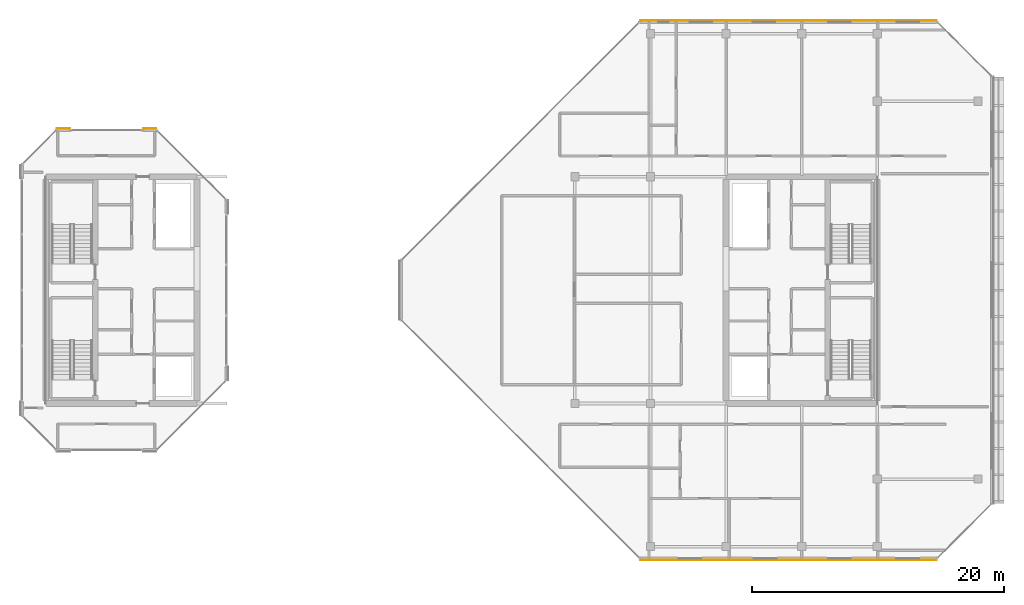
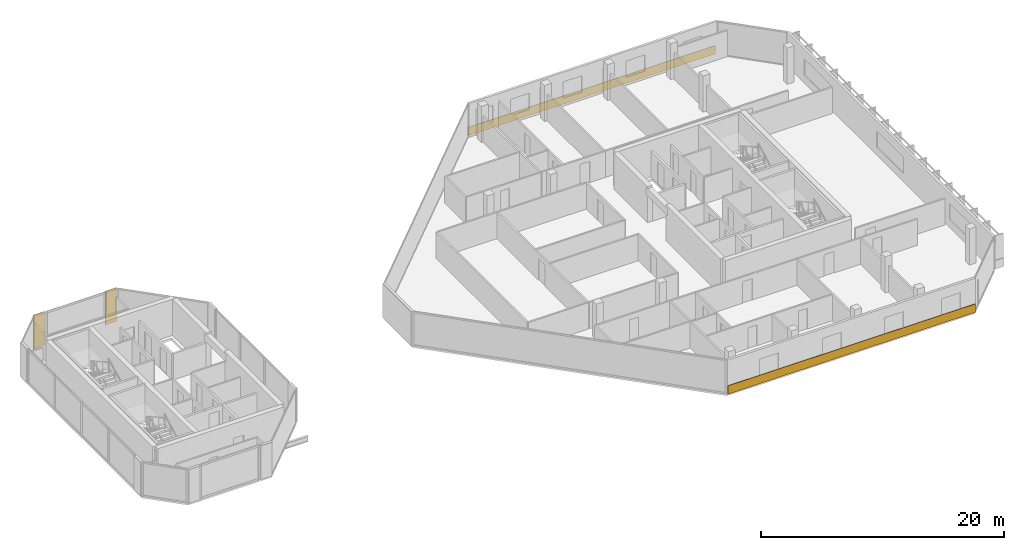
# One storey, part 27 of 28: 4 coverings.
"""IFC4 building model written with IfcOpenShell, lengths in metres."""

from ifc_helpers import new_model, si_unit, direction, frame, origin, origin_2d, place, context, subcontext, project, spatial, rectangle, extrude, material, layer, layer_set, type_object, element, save


model = new_model("IFC4")

# Units and contexts
model_context = context("Model", 3, precision=1e-05, world=origin(), true_north=direction((0.0, 1.0)))
body_context = subcontext(model_context, "Body", "Model", "MODEL_VIEW")
ifc_project = project(units=[si_unit("LENGTHUNIT", "METRE"), si_unit("AREAUNIT", "SQUARE_METRE"), si_unit("VOLUMEUNIT", "CUBIC_METRE"), si_unit("PLANEANGLEUNIT", "RADIAN"), si_unit("MASSUNIT", "GRAM", prefix="KILO")], contexts=[model_context])

# Site, building, storey
site_placement = place(None, origin())
site = spatial("IfcSite", under=ifc_project, at=site_placement, CompositionType="ELEMENT")
building_placement = place(site_placement, origin())
building = spatial("IfcBuilding", under=site, at=building_placement, Name="Tanjung Sevakor Pilgrim Tower", CompositionType="ELEMENT")
storey_placement = place(building_placement, frame((0.0, 0.0, 246.179931640625)))
storey = spatial("IfcBuildingStorey", under=building, at=storey_placement, Name="L69", CompositionType="ELEMENT", Elevation=246.179931640625)

# Coverings
ifc_material = material(Name="Reconstructed Limestone Cladding", Category="masonry")
ifc_layer = layer(ifc_material, 0.044921875)
ifc_layer_set = layer_set([ifc_layer], Name="COV-CLAD-LIMESTONE")
covering_type = type_object("IfcCoveringType", Name="COV-CLAD-LIMESTONE", PredefinedType="CLADDING", material=ifc_layer_set)
for number, where, z_axis, x_axis, name in (
    (1, (32.25439453125, 46.422607421875, 0.02001953125), (0.0, 0.0, 1.0), (-1.0, 0.0, 0.0), "L69 Warm Limestone Wall Cladding EW-CRN1-L69-WEST-4-1"),
    (2, (25.3955078125, 46.422607421875, 0.02001953125), (0.0, 0.0, 1.0), (-1.0, 0.0, 0.0), "L69 Warm Limestone Wall Cladding EW-CRN2-L69-WEST-4-1"),
):
    element("IfcCovering", number, at=place(storey_placement, frame(where, z_axis=z_axis, x_axis=x_axis)), inside=storey, type_object=covering_type, Name=name, PredefinedType="CLADDING", context=body_context, shape_type="SweptSolid", body=[
        extrude(rectangle(XDim=1.06005859375, YDim=0.044921875, at=origin_2d()), origin(), (0.0, 0.0, 1.0), 3.3701171875),
    ])
for number, where, z_axis, x_axis, name in (
    (3, (82.949951171875, 12.177490234375, 0.01025390625), (0.0, 0.0, 1.0), (1.0, 0.0, 0.0), "L69 Warm Limestone Sill Spandrel EW-L69-EAST-1-1"),
    (4, (82.949951171875, 55.0224609375, 0.01025390625), (0.0, 0.0, 1.0), (-1.0, 0.0, 0.0), "L69 Warm Limestone Sill Spandrel EW-L69-EAST-5-1"),
):
    element("IfcCovering", number, at=place(storey_placement, frame(where, z_axis=z_axis, x_axis=x_axis)), inside=storey, type_object=covering_type, Name=name, PredefinedType="CLADDING", context=body_context, shape_type="SweptSolid", body=[
        extrude(rectangle(XDim=23.52880859375, YDim=0.044921875, at=origin_2d()), origin(), (0.0, 0.0, 1.0), 0.840087890625),
    ])

save(model, "model.ifc")
